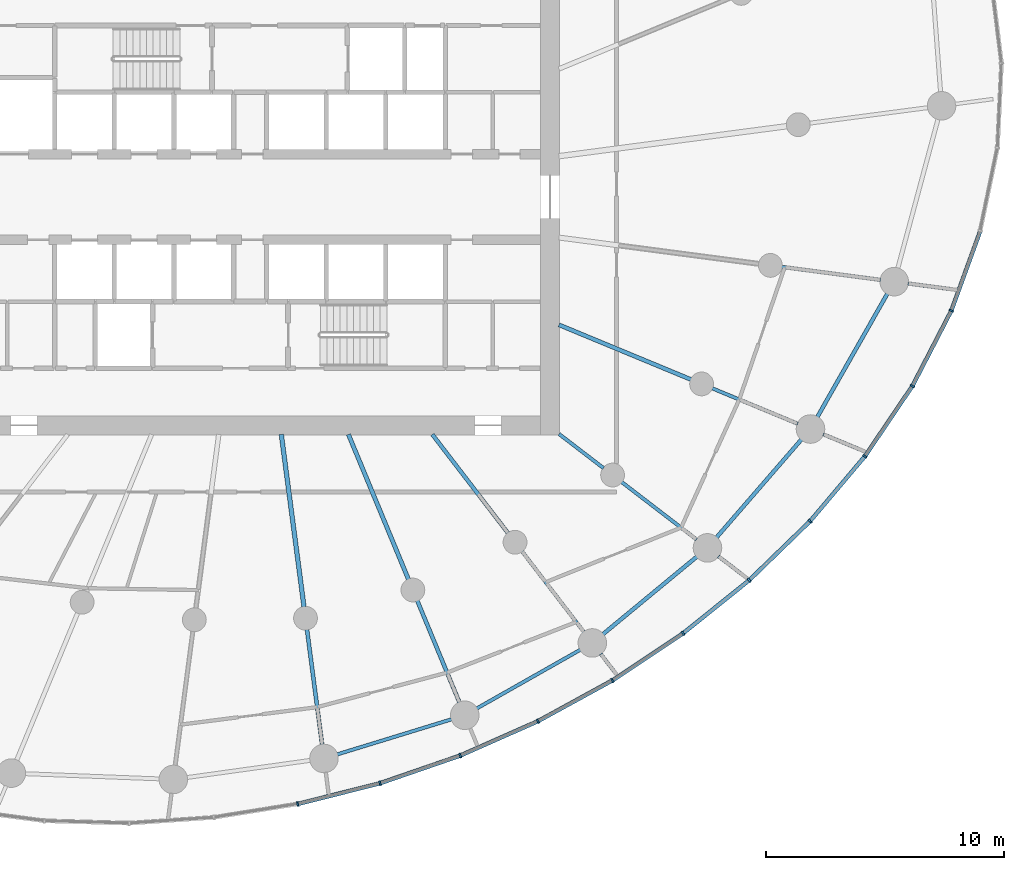
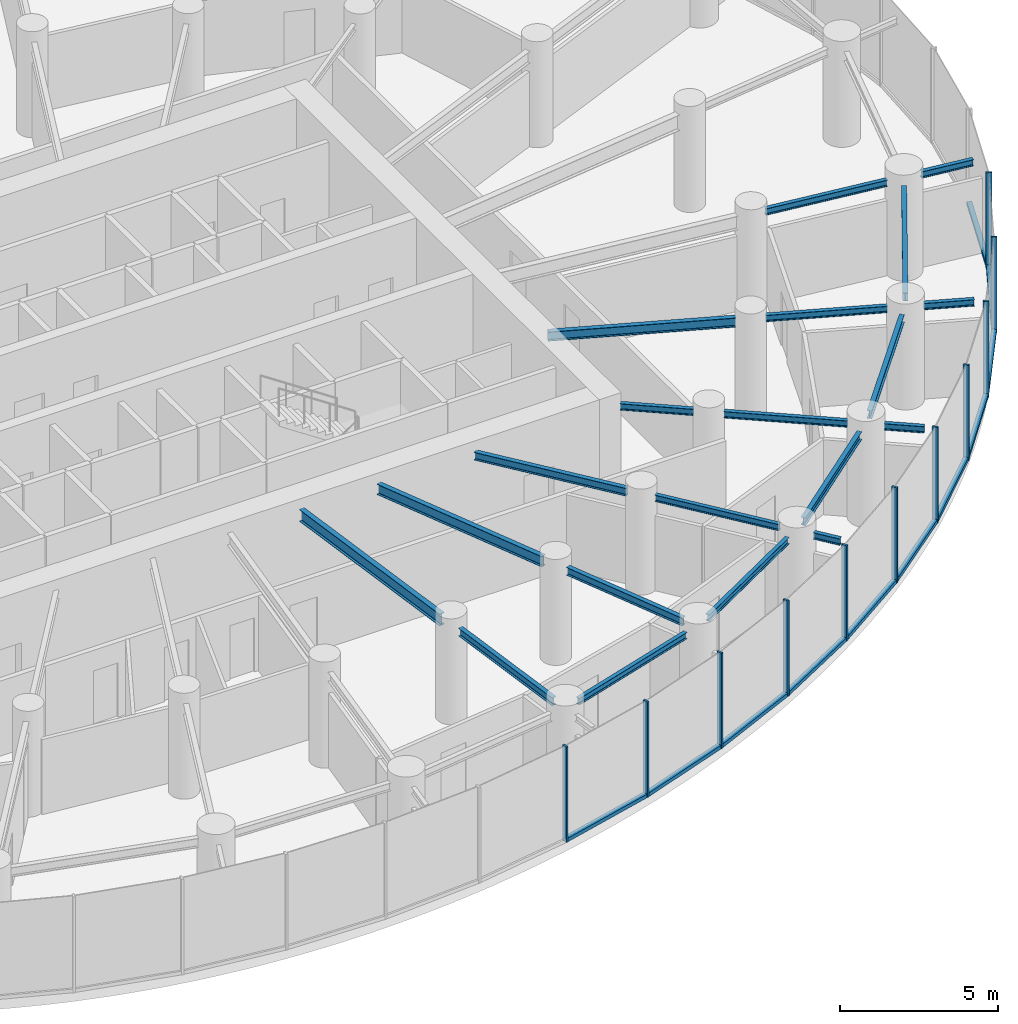
# One storey, part 4 of 17: 22 members, 20 beams, 2 elements without a shape of their own.
"""IFC4 building model written with IfcOpenShell, lengths in metres."""

from ifc_helpers import new_model, si_unit, direction, frame, origin, origin_2d, place, context, subcontext, project, spatial, rectangle, i_section, extrude, source, transform, mapped, material, layer, layer_set, material_profile, profile_set, type_object, element, aggregate, save


model = new_model("IFC4")

# Units and contexts
model_context = context("Model", 3, precision=1e-05, world=origin(), true_north=direction((0.0, 1.0)))
body_context = subcontext(model_context, "Body", "Model", "MODEL_VIEW")
ifc_project = project(units=[si_unit("LENGTHUNIT", "METRE"), si_unit("AREAUNIT", "SQUARE_METRE"), si_unit("VOLUMEUNIT", "CUBIC_METRE"), si_unit("PLANEANGLEUNIT", "RADIAN"), si_unit("MASSUNIT", "GRAM", prefix="KILO")], contexts=[model_context])

# Site, building, storey
site_placement = place(None, origin())
site = spatial("IfcSite", under=ifc_project, at=site_placement, CompositionType="ELEMENT")
building_placement = place(site_placement, origin())
building = spatial("IfcBuilding", under=site, at=building_placement, Name="Spindrift Exchange Tower", CompositionType="ELEMENT")
storey_placement = place(building_placement, frame((0.0, 0.0, 88.0)))
storey = spatial("IfcBuildingStorey", under=building, at=storey_placement, Name="L20", CompositionType="ELEMENT", Elevation=88.0)

# Beams
ifc_material_1 = material(Name="Steel Grade 300", Category="steel")
ifc_material_profile_1 = material_profile(ifc_material_1, i_section(OverallWidth=0.18994140625, OverallDepth=0.45703125, WebThickness=0.009033203125, FlangeThickness=0.014404296875, FilletRadius=0.013916015625, at=origin_2d()), Name="460UB74.6")
ifc_profile_set_1 = profile_set([ifc_material_profile_1], Name="Steel Grade 300")
beam_type_1 = type_object("IfcBeamType", Name="Floor Beam 460UB74.6 Steel Grade 300", PredefinedType="BEAM", material=ifc_profile_set_1)
shared_shape_1 = source(origin(), body_context, "Body", "SweptSolid", [
    extrude(i_section(OverallWidth=0.18994140625, OverallDepth=0.45703125, WebThickness=0.009033203125, FlangeThickness=0.014404296875, FilletRadius=0.013916015625, at=origin_2d()), origin(), (0.0, 0.0, 1.0), 7.3095703125),
])
beam_1_placement = place(storey_placement, frame((53.31396484375, 38.019775390625, 3.471435546875), z_axis=(0.130527087244, -0.991444743541, 0.0), x_axis=(0.991444743541, 0.130527087244, 0.0)))
element("IfcBeam", 1, at=beam_1_placement, inside=storey, type_object=beam_type_1, Name="L20 radial beam R19A", PredefinedType="BEAM", context=body_context, shape_type="MappedRepresentation", body=[
    mapped(shared_shape_1, transform((0.0, 0.0, 0.0), scale=1.0)),
])
ifc_material_profile_2 = material_profile(ifc_material_1, i_section(OverallWidth=0.177978515625, OverallDepth=0.406005859375, WebThickness=0.0078125, FlangeThickness=0.0126953125, FilletRadius=0.013916015625, at=origin_2d()), Name="410UB59.7")
ifc_profile_set_2 = profile_set([ifc_material_profile_2], Name="Steel Grade 300")
beam_type_2 = type_object("IfcBeamType", Name="Floor Beam 410UB59.7 Steel Grade 300", PredefinedType="BEAM", material=ifc_profile_set_2)
shared_shape_2 = source(origin(), body_context, "Body", "SweptSolid", [
    extrude(i_section(OverallWidth=0.177978515625, OverallDepth=0.406005859375, WebThickness=0.0078125, FlangeThickness=0.0126953125, FilletRadius=0.013916015625, at=origin_2d()), origin(), (0.0, 0.0, 1.0), 6.594482421875),
])
beam_2_placement = place(storey_placement, frame((56.134521484375, 38.0185546875, 3.4970703125), z_axis=(0.382692929746, -0.92387559851, 0.0), x_axis=(0.92387559851, 0.382692929746, 0.0)))
element("IfcBeam", 2, at=beam_2_placement, inside=storey, type_object=beam_type_2, Name="L20 radial beam R20A", PredefinedType="BEAM", context=body_context, shape_type="MappedRepresentation", body=[
    mapped(shared_shape_2, transform((0.0, 0.0, 0.0), scale=1.0)),
])
ifc_material_profile_3 = material_profile(ifc_material_1, i_section(OverallWidth=0.1650390625, OverallDepth=0.303955078125, WebThickness=0.006103515625, FlangeThickness=0.01025390625, FilletRadius=0.011474609375, at=origin_2d()), Name="310UB40.4")
ifc_profile_set_3 = profile_set([ifc_material_profile_3], Name="Steel Grade 300")
beam_type_3 = type_object("IfcBeamType", Name="Floor Beam 310UB40.4 Steel Grade 300", PredefinedType="BEAM", material=ifc_profile_set_3)
shared_shape_3 = source(origin(), body_context, "Body", "SweptSolid", [
    extrude(i_section(OverallWidth=0.1650390625, OverallDepth=0.303955078125, WebThickness=0.006103515625, FlangeThickness=0.01025390625, FilletRadius=0.011474609375, at=origin_2d()), origin(), (0.0, 0.0, 1.0), 5.224609375),
])
beam_3_placement = place(storey_placement, frame((59.6611328125, 38.015869140625, 3.548095703125), z_axis=(0.608741499316, -0.793368632485, 0.0), x_axis=(0.793368632485, 0.608741499316, 0.0)))
element("IfcBeam", 3, at=beam_3_placement, inside=storey, type_object=beam_type_3, Name="L20 radial beam R21A", PredefinedType="BEAM", context=body_context, shape_type="MappedRepresentation", body=[
    mapped(shared_shape_3, transform((0.0, 0.0, 0.0), scale=1.0)),
])
ifc_material_profile_4 = material_profile(ifc_material_1, i_section(OverallWidth=0.14599609375, OverallDepth=0.251953125, WebThickness=0.006103515625, FlangeThickness=0.008544921875, FilletRadius=0.011962890625, at=origin_2d()), Name="250UB31.4")
ifc_profile_set_4 = profile_set([ifc_material_profile_4], Name="Steel Grade 300")
beam_type_4 = type_object("IfcBeamType", Name="Floor Beam 250UB31.4 Steel Grade 300", PredefinedType="BEAM", material=ifc_profile_set_4)
shared_shape_4 = source(origin(), body_context, "Body", "SweptSolid", [
    extrude(i_section(OverallWidth=0.14599609375, OverallDepth=0.251953125, WebThickness=0.006103515625, FlangeThickness=0.008544921875, FilletRadius=0.011962890625, at=origin_2d()), origin(), (0.0, 0.0, 1.0), 2.353759765625),
])
beam_4_placement = place(storey_placement, frame((64.984130859375, 38.036865234375, 3.573974609375), z_axis=(0.793367573265, -0.608742879787, 0.0), x_axis=(0.608742879787, 0.793367573265, 0.0)))
element("IfcBeam", 4, at=beam_4_placement, inside=storey, type_object=beam_type_4, Name="L20 radial beam R22A", PredefinedType="BEAM", context=body_context, shape_type="MappedRepresentation", body=[
    mapped(shared_shape_4, transform((0.0, 0.0, 0.0), scale=1.0)),
])
ifc_material_profile_5 = material_profile(ifc_material_1, i_section(OverallWidth=0.172119140625, OverallDepth=0.35888671875, WebThickness=0.008056640625, FlangeThickness=0.012939453125, FilletRadius=0.013916015625, at=origin_2d()), Name="360UB56.7")
ifc_profile_set_5 = profile_set([ifc_material_profile_5], Name="Steel Grade 300")
beam_type_5 = type_object("IfcBeamType", Name="Floor Beam 360UB56.7 Steel Grade 300", PredefinedType="BEAM", material=ifc_profile_set_5)
shared_shape_5 = source(origin(), body_context, "Body", "SweptSolid", [
    extrude(i_section(OverallWidth=0.172119140625, OverallDepth=0.35888671875, WebThickness=0.008056640625, FlangeThickness=0.012939453125, FilletRadius=0.013916015625, at=origin_2d()), origin(), (0.0, 0.0, 1.0), 6.004638671875),
])
beam_5_placement = place(storey_placement, frame((64.9814453125, 42.622802734375, 3.5205078125), z_axis=(0.923882044911, -0.38267736684, 0.0), x_axis=(0.38267736684, 0.923882044911, 0.0)))
element("IfcBeam", 5, at=beam_5_placement, inside=storey, type_object=beam_type_5, Name="L20 radial beam R23A", PredefinedType="BEAM", context=body_context, shape_type="MappedRepresentation", body=[
    mapped(shared_shape_5, transform((0.0, 0.0, 0.0), scale=1.0)),
])
shared_shape_6 = source(origin(), body_context, "Body", "SweptSolid", [
    extrude(i_section(OverallWidth=0.1650390625, OverallDepth=0.303955078125, WebThickness=0.006103515625, FlangeThickness=0.01025390625, FilletRadius=0.011474609375, at=origin_2d()), origin(), (0.0, 0.0, 1.0), 4.883056640625),
])
beam_6_placement = place(storey_placement, frame((54.393310546875, 29.82080078125, 3.548095703125), z_axis=(0.130542457964, -0.991442719812, 0.0), x_axis=(0.991442719812, 0.130542457964, 0.0)))
element("IfcBeam", 6, at=beam_6_placement, inside=storey, type_object=beam_type_3, Name="L20 radial beam R19B", PredefinedType="BEAM", context=body_context, shape_type="MappedRepresentation", body=[
    mapped(shared_shape_6, transform((0.0, 0.0, 0.0), scale=1.0)),
])
shared_shape_7 = source(origin(), body_context, "Body", "SweptSolid", [
    extrude(i_section(OverallWidth=0.1650390625, OverallDepth=0.303955078125, WebThickness=0.006103515625, FlangeThickness=0.01025390625, FilletRadius=0.011474609375, at=origin_2d()), origin(), (0.0, 0.0, 1.0), 4.63671875),
])
beam_7_placement = place(storey_placement, frame((59.025390625, 31.0390625, 3.548095703125), z_axis=(0.382692818086, -0.923875644763, 0.0), x_axis=(0.923875644763, 0.382692818086, 0.0)))
element("IfcBeam", 7, at=beam_7_placement, inside=storey, type_object=beam_type_3, Name="L20 radial beam R20B", PredefinedType="BEAM", context=body_context, shape_type="MappedRepresentation", body=[
    mapped(shared_shape_7, transform((0.0, 0.0, 0.0), scale=1.0)),
])
shared_shape_8 = source(origin(), body_context, "Body", "SweptSolid", [
    extrude(i_section(OverallWidth=0.14599609375, OverallDepth=0.251953125, WebThickness=0.006103515625, FlangeThickness=0.008544921875, FilletRadius=0.011962890625, at=origin_2d()), origin(), (0.0, 0.0, 1.0), 4.27587890625),
])
beam_8_placement = place(storey_placement, frame((63.426025390625, 33.109375, 3.573974609375), z_axis=(0.608725184746, -0.793381150177, 0.0), x_axis=(0.793381150177, 0.608725184746, 0.0)))
element("IfcBeam", 8, at=beam_8_placement, inside=storey, type_object=beam_type_4, Name="L20 radial beam R21B", PredefinedType="BEAM", context=body_context, shape_type="MappedRepresentation", body=[
    mapped(shared_shape_8, transform((0.0, 0.0, 0.0), scale=1.0)),
])
shared_shape_9 = source(origin(), body_context, "Body", "SweptSolid", [
    extrude(i_section(OverallWidth=0.14599609375, OverallDepth=0.251953125, WebThickness=0.006103515625, FlangeThickness=0.008544921875, FilletRadius=0.011962890625, at=origin_2d()), origin(), (0.0, 0.0, 1.0), 3.966064453125),
])
beam_9_placement = place(storey_placement, frame((67.61328125, 36.01953125, 3.573974609375), z_axis=(0.79336256318, -0.608749409318, 0.0), x_axis=(0.608749409318, 0.79336256318, 0.0)))
element("IfcBeam", 9, at=beam_9_placement, inside=storey, type_object=beam_type_4, Name="L20 radial beam R22B", PredefinedType="BEAM", context=body_context, shape_type="MappedRepresentation", body=[
    mapped(shared_shape_9, transform((0.0, 0.0, 0.0), scale=1.0)),
])
shared_shape_10 = source(origin(), body_context, "Body", "SweptSolid", [
    extrude(i_section(OverallWidth=0.14599609375, OverallDepth=0.251953125, WebThickness=0.006103515625, FlangeThickness=0.008544921875, FilletRadius=0.011962890625, at=origin_2d()), origin(), (0.0, 0.0, 1.0), 3.892333984375),
])
beam_10_placement = place(storey_placement, frame((71.416015625, 39.95751953125, 3.573974609375), z_axis=(0.923878458273, -0.382686025794, 0.0), x_axis=(0.382686025794, 0.923878458273, 0.0)))
element("IfcBeam", 10, at=beam_10_placement, inside=storey, type_object=beam_type_4, Name="L20 radial beam R23B", PredefinedType="BEAM", context=body_context, shape_type="MappedRepresentation", body=[
    mapped(shared_shape_10, transform((0.0, 0.0, 0.0), scale=1.0)),
])
shared_shape_11 = source(origin(), body_context, "Body", "SweptSolid", [
    extrude(i_section(OverallWidth=0.14599609375, OverallDepth=0.251953125, WebThickness=0.006103515625, FlangeThickness=0.008544921875, FilletRadius=0.011962890625, at=origin_2d()), origin(), (0.0, 0.0, 1.0), 4.186279296875),
])
beam_11_placement = place(storey_placement, frame((74.339111328125, 45.05908203125, 3.573974609375), z_axis=(0.991445559167, -0.130520891848, 0.0), x_axis=(0.130520891848, 0.991445559167, 0.0)))
element("IfcBeam", 11, at=beam_11_placement, inside=storey, type_object=beam_type_4, Name="L20 radial beam R24B", PredefinedType="BEAM", context=body_context, shape_type="MappedRepresentation", body=[
    mapped(shared_shape_11, transform((0.0, 0.0, 0.0), scale=1.0)),
])
ifc_material_profile_6 = material_profile(ifc_material_1, i_section(OverallWidth=0.14599609375, OverallDepth=0.251953125, WebThickness=0.006103515625, FlangeThickness=0.008544921875, FilletRadius=0.011962890625, at=origin_2d()), Name="250UB31.4")
ifc_profile_set_6 = profile_set([ifc_material_profile_6], Name="Steel Grade 300")
beam_type_6 = type_object("IfcBeamType", Name="Edge Beam 250UB31.4 Steel Grade 300", PredefinedType="SPANDREL", material=ifc_profile_set_6)
shared_shape_12 = source(origin(), body_context, "Body", "SweptSolid", [
    extrude(i_section(OverallWidth=0.14599609375, OverallDepth=0.251953125, WebThickness=0.006103515625, FlangeThickness=0.008544921875, FilletRadius=0.011962890625, at=origin_2d()), origin(), (0.0, 0.0, 1.0), 5.027587890625),
])
beam_12_placement = place(storey_placement, frame((55.660888671875, 24.57470703125, 3.573974609375), z_axis=(0.956018084082, 0.293307727325, 0.0), x_axis=(-0.293307727325, 0.956018084082, 0.0)))
element("IfcBeam", 12, at=beam_12_placement, inside=storey, type_object=beam_type_6, Name="L20 edge beam E19", PredefinedType="SPANDREL", context=body_context, shape_type="MappedRepresentation", body=[
    mapped(shared_shape_12, transform((0.0, 0.0, 0.0), scale=1.0)),
])
shared_shape_13 = source(origin(), body_context, "Body", "SweptSolid", [
    extrude(i_section(OverallWidth=0.14599609375, OverallDepth=0.251953125, WebThickness=0.006103515625, FlangeThickness=0.008544921875, FilletRadius=0.011962890625, at=origin_2d()), origin(), (0.0, 0.0, 1.0), 5.0009765625),
])
beam_13_placement = place(storey_placement, frame((61.5263671875, 26.505615234375, 3.573974609375), z_axis=(0.870045916697, 0.492970691663, 0.0), x_axis=(-0.492970691663, 0.870045916697, 0.0)))
element("IfcBeam", 13, at=beam_13_placement, inside=storey, type_object=beam_type_6, Name="L20 edge beam E20", PredefinedType="SPANDREL", context=body_context, shape_type="MappedRepresentation", body=[
    mapped(shared_shape_13, transform((0.0, 0.0, 0.0), scale=1.0)),
])
ifc_material_profile_7 = material_profile(ifc_material_1, i_section(OverallWidth=0.1650390625, OverallDepth=0.303955078125, WebThickness=0.006103515625, FlangeThickness=0.01025390625, FilletRadius=0.011474609375, at=origin_2d()), Name="310UB40.4")
ifc_profile_set_7 = profile_set([ifc_material_profile_7], Name="Steel Grade 300")
beam_type_7 = type_object("IfcBeamType", Name="Edge Beam 310UB40.4 Steel Grade 300", PredefinedType="SPANDREL", material=ifc_profile_set_7)
shared_shape_14 = source(origin(), body_context, "Body", "SweptSolid", [
    extrude(i_section(OverallWidth=0.1650390625, OverallDepth=0.303955078125, WebThickness=0.006103515625, FlangeThickness=0.01025390625, FilletRadius=0.011474609375, at=origin_2d()), origin(), (0.0, 0.0, 1.0), 5.114501953125),
])
beam_14_placement = place(storey_placement, frame((66.8291015625, 29.626220703125, 3.548095703125), z_axis=(0.771073837992, 0.63674573918, 0.0), x_axis=(-0.63674573918, 0.771073837992, 0.0)))
element("IfcBeam", 14, at=beam_14_placement, inside=storey, type_object=beam_type_7, Name="L20 edge beam E21", PredefinedType="SPANDREL", context=body_context, shape_type="MappedRepresentation", body=[
    mapped(shared_shape_14, transform((0.0, 0.0, 0.0), scale=1.0)),
])
shared_shape_15 = source(origin(), body_context, "Body", "SweptSolid", [
    extrude(i_section(OverallWidth=0.1650390625, OverallDepth=0.303955078125, WebThickness=0.006103515625, FlangeThickness=0.01025390625, FilletRadius=0.011474609375, at=origin_2d()), origin(), (0.0, 0.0, 1.0), 5.448486328125),
])
beam_15_placement = place(storey_placement, frame((71.599609375, 33.6904296875, 3.548095703125), z_axis=(0.654922008827, 0.755696475018, 0.0), x_axis=(-0.755696475018, 0.654922008827, 0.0)))
element("IfcBeam", 15, at=beam_15_placement, inside=storey, type_object=beam_type_7, Name="L20 edge beam E22", PredefinedType="SPANDREL", context=body_context, shape_type="MappedRepresentation", body=[
    mapped(shared_shape_15, transform((0.0, 0.0, 0.0), scale=1.0)),
])
shared_shape_16 = source(origin(), body_context, "Body", "SweptSolid", [
    extrude(i_section(OverallWidth=0.1650390625, OverallDepth=0.303955078125, WebThickness=0.006103515625, FlangeThickness=0.01025390625, FilletRadius=0.011474609375, at=origin_2d()), origin(), (0.0, 0.0, 1.0), 5.9599609375),
])
beam_16_placement = place(storey_placement, frame((75.834228515625, 38.75048828125, 3.548095703125), z_axis=(0.493940434745, 0.869495742901, 0.0), x_axis=(-0.869495742901, 0.493940434745, 0.0)))
element("IfcBeam", 16, at=beam_16_placement, inside=storey, type_object=beam_type_7, Name="L20 edge beam E23", PredefinedType="SPANDREL", context=body_context, shape_type="MappedRepresentation", body=[
    mapped(shared_shape_16, transform((0.0, 0.0, 0.0), scale=1.0)),
])
ifc_material_profile_8 = material_profile(ifc_material_1, i_section(OverallWidth=0.14599609375, OverallDepth=0.251953125, WebThickness=0.006103515625, FlangeThickness=0.008544921875, FilletRadius=0.011962890625, at=origin_2d()), Name="250UB31.4")
ifc_profile_set_8 = profile_set([ifc_material_profile_8], Name="Steel Grade 300")
beam_type_8 = type_object("IfcBeamType", Name="Cantilever Beam 250UB31.4 Steel Grade 300", PredefinedType="BEAM", material=ifc_profile_set_8)
shared_shape_17 = source(origin(), body_context, "Body", "SweptSolid", [
    extrude(i_section(OverallWidth=0.14599609375, OverallDepth=0.251953125, WebThickness=0.006103515625, FlangeThickness=0.008544921875, FilletRadius=0.011962890625, at=origin_2d()), origin(), (0.0, 0.0, 1.0), 0.920166015625),
])
beam_17_placement = place(storey_placement, frame((66.735107421875, 28.796875, 3.573974609375), z_axis=(0.608877027985, -0.793264624695, 0.0), x_axis=(0.793264624695, 0.608877027985, 0.0)))
element("IfcBeam", 17, at=beam_17_placement, inside=storey, type_object=beam_type_8, Name="L20 cantilever beam R21T", PredefinedType="BEAM", context=body_context, shape_type="MappedRepresentation", body=[
    mapped(shared_shape_17, transform((0.0, 0.0, 0.0), scale=1.0)),
])
shared_shape_18 = source(origin(), body_context, "Body", "SweptSolid", [
    extrude(i_section(OverallWidth=0.14599609375, OverallDepth=0.251953125, WebThickness=0.006103515625, FlangeThickness=0.008544921875, FilletRadius=0.011962890625, at=origin_2d()), origin(), (0.0, 0.0, 1.0), 1.286376953125),
])
beam_18_placement = place(storey_placement, frame((71.679931640625, 32.89892578125, 3.573974609375), z_axis=(0.793392464153, -0.608710438406, 0.0), x_axis=(0.608710438406, 0.793392464153, 0.0)))
element("IfcBeam", 18, at=beam_18_placement, inside=storey, type_object=beam_type_8, Name="L20 cantilever beam R22T", PredefinedType="BEAM", context=body_context, shape_type="MappedRepresentation", body=[
    mapped(shared_shape_18, transform((0.0, 0.0, 0.0), scale=1.0)),
])
shared_shape_19 = source(origin(), body_context, "Body", "SweptSolid", [
    extrude(i_section(OverallWidth=0.14599609375, OverallDepth=0.251953125, WebThickness=0.006103515625, FlangeThickness=0.008544921875, FilletRadius=0.011962890625, at=origin_2d()), origin(), (0.0, 0.0, 1.0), 1.614013671875),
])
beam_19_placement = place(storey_placement, frame((76.08349609375, 38.024169921875, 3.573974609375), z_axis=(0.923880411625, -0.382681309989, 0.0), x_axis=(0.382681309989, 0.923880411625, 0.0)))
element("IfcBeam", 19, at=beam_19_placement, inside=storey, type_object=beam_type_8, Name="L20 cantilever beam R23T", PredefinedType="BEAM", context=body_context, shape_type="MappedRepresentation", body=[
    mapped(shared_shape_19, transform((0.0, 0.0, 0.0), scale=1.0)),
])
shared_shape_20 = source(origin(), body_context, "Body", "SweptSolid", [
    extrude(i_section(OverallWidth=0.14599609375, OverallDepth=0.251953125, WebThickness=0.006103515625, FlangeThickness=0.008544921875, FilletRadius=0.011962890625, at=origin_2d()), origin(), (0.0, 0.0, 1.0), 1.78564453125),
])
beam_20_placement = place(storey_placement, frame((79.639404296875, 44.361083984375, 3.573974609375), z_axis=(0.99145801781, -0.130426220214, 0.0), x_axis=(0.130426220214, 0.99145801781, 0.0)))
element("IfcBeam", 20, at=beam_20_placement, inside=storey, type_object=beam_type_8, Name="L20 cantilever beam R24T", PredefinedType="BEAM", context=body_context, shape_type="MappedRepresentation", body=[
    mapped(shared_shape_20, transform((0.0, 0.0, 0.0), scale=1.0)),
])

# Curtain wall, members
ifc_material_2 = material(Name="Fritted laminated glass with bronze frame", Category="glass")
ifc_layer = layer(ifc_material_2, 0.18994140625)
ifc_layer_set = layer_set([ifc_layer], Name="ZONE 2 BRONZE FRITTED WALL")
curtain_wall_type = type_object("IfcCurtainWallType", Name="ZONE 2 BRONZE FRITTED WALL", PredefinedType="NOTDEFINED", material=ifc_layer_set)
curtain_wall_1_placement = place(storey_placement, origin())
curtain_wall_1 = element("IfcCurtainWall", 21, at=curtain_wall_1_placement, inside=storey, type_object=curtain_wall_type, Name="L20 Zone 2 Bronze Fritted Wall run 7", PredefinedType="NOTDEFINED")
ifc_material_3 = material(Name="Bronze anodised aluminium", Category="aluminium")
ifc_material_profile_9 = material_profile(ifc_material_3, rectangle(XDim=0.074951171875, YDim=0.18994140625, at=origin_2d()), Name="ZONE 2 BRONZE FRITTED WALL MULLION 75X190")
ifc_profile_set_9 = profile_set([ifc_material_profile_9], Name="Bronze anodised aluminium")
member_type_1 = type_object("IfcMemberType", Name="ZONE 2 BRONZE FRITTED WALL MULLION 75X190", PredefinedType="MULLION", material=ifc_profile_set_9)
shared_shape_21 = source(origin(), body_context, "Body", "SweptSolid", [
    extrude(rectangle(XDim=0.074951171875, YDim=0.18994140625, at=origin_2d()), origin(), (0.0, 0.0, 1.0), 3.699951171875),
])
member_1_placement = place(storey_placement, frame((54.0029296875, 22.490478515625, 0.0), z_axis=(0.0, 0.0, 1.0), x_axis=(0.979430002763, 0.201784215653, 0.0)))
member_1 = element("IfcMember", 22, at=member_1_placement, type_object=member_type_1, Name="L20 mullion CW-2.37", PredefinedType="MULLION", context=body_context, shape_type="MappedRepresentation", body=[
    mapped(shared_shape_21, transform((0.0, 0.0, 0.0), scale=1.0)),
])
member_2_placement = place(storey_placement, frame((57.46142578125, 23.3623046875, 0.0), z_axis=(0.0, 0.0, 1.0), x_axis=(0.958371365732, 0.285524649279, 0.0)))
member_2 = element("IfcMember", 23, at=member_2_placement, type_object=member_type_1, Name="L20 mullion CW-2.38", PredefinedType="MULLION", context=body_context, shape_type="MappedRepresentation", body=[
    mapped(shared_shape_21, transform((0.0, 0.0, 0.0), scale=1.0)),
])
member_3_placement = place(storey_placement, frame((60.833251953125, 24.525390625, 0.0), z_axis=(0.0, 0.0, 1.0), x_axis=(0.930740938125, 0.365679239358, 0.0)))
member_3 = element("IfcMember", 24, at=member_3_placement, type_object=member_type_1, Name="L20 mullion CW-2.39", PredefinedType="MULLION", context=body_context, shape_type="MappedRepresentation", body=[
    mapped(shared_shape_21, transform((0.0, 0.0, 0.0), scale=1.0)),
])
member_4_placement = place(storey_placement, frame((64.094970703125, 25.968505859375, 0.0), z_axis=(0.0, 0.0, 1.0), x_axis=(0.896560946156, 0.442920387686, 0.0)))
member_4 = element("IfcMember", 25, at=member_4_placement, type_object=member_type_1, Name="L20 mullion CW-2.40", PredefinedType="MULLION", context=body_context, shape_type="MappedRepresentation", body=[
    mapped(shared_shape_21, transform((0.0, 0.0, 0.0), scale=1.0)),
])
member_5_placement = place(storey_placement, frame((67.222900390625, 27.68212890625, 0.0), z_axis=(0.0, 0.0, 1.0), x_axis=(0.855501565026, 0.517800224255, 0.0)))
member_5 = element("IfcMember", 26, at=member_5_placement, type_object=member_type_1, Name="L20 mullion CW-2.41", PredefinedType="MULLION", context=body_context, shape_type="MappedRepresentation", body=[
    mapped(shared_shape_21, transform((0.0, 0.0, 0.0), scale=1.0)),
])
member_6_placement = place(storey_placement, frame((70.19189453125, 29.65869140625, 0.0), z_axis=(0.0, 0.0, 1.0), x_axis=(0.806874050391, 0.590723511303, 0.0)))
member_6 = element("IfcMember", 27, at=member_6_placement, type_object=member_type_1, Name="L20 mullion CW-2.42", PredefinedType="MULLION", context=body_context, shape_type="MappedRepresentation", body=[
    mapped(shared_shape_21, transform((0.0, 0.0, 0.0), scale=1.0)),
])

curtain_wall_2_placement = place(storey_placement, origin())
curtain_wall_2 = element("IfcCurtainWall", 28, at=curtain_wall_2_placement, inside=storey, type_object=curtain_wall_type, Name="L20 Zone 2 Bronze Fritted Wall run 8", PredefinedType="NOTDEFINED")
member_7_placement = place(storey_placement, frame((72.972900390625, 31.8916015625, 0.0), z_axis=(0.0, 0.0, 1.0), x_axis=(0.749663239022, 0.661819482986, 0.0)))
member_7 = element("IfcMember", 29, at=member_7_placement, type_object=member_type_1, Name="L20 mullion CW-2.43", PredefinedType="MULLION", context=body_context, shape_type="MappedRepresentation", body=[
    mapped(shared_shape_21, transform((0.0, 0.0, 0.0), scale=1.0)),
])
member_8_placement = place(storey_placement, frame((75.533203125, 34.374267578125, 0.0), z_axis=(0.0, 0.0, 1.0), x_axis=(0.68243968132, 0.730941913807, 0.0)))
member_8 = element("IfcMember", 30, at=member_8_placement, type_object=member_type_1, Name="L20 mullion CW-2.44", PredefinedType="MULLION", context=body_context, shape_type="MappedRepresentation", body=[
    mapped(shared_shape_21, transform((0.0, 0.0, 0.0), scale=1.0)),
])
member_9_placement = place(storey_placement, frame((77.834228515625, 37.0986328125, 0.0), z_axis=(0.0, 0.0, 1.0), x_axis=(0.603389695566, 0.797446471736, 0.0)))
member_9 = element("IfcMember", 31, at=member_9_placement, type_object=member_type_1, Name="L20 mullion CW-2.45", PredefinedType="MULLION", context=body_context, shape_type="MappedRepresentation", body=[
    mapped(shared_shape_21, transform((0.0, 0.0, 0.0), scale=1.0)),
])
member_10_placement = place(storey_placement, frame((79.830322265625, 40.053466796875, 0.0), z_axis=(0.0, 0.0, 1.0), x_axis=(0.510326996219, 0.859980439853, 0.0)))
member_10 = element("IfcMember", 32, at=member_10_placement, type_object=member_type_1, Name="L20 mullion CW-2.46", PredefinedType="MULLION", context=body_context, shape_type="MappedRepresentation", body=[
    mapped(shared_shape_21, transform((0.0, 0.0, 0.0), scale=1.0)),
])
member_11_placement = place(storey_placement, frame((81.46728515625, 43.220947265625, 0.0), z_axis=(0.0, 0.0, 1.0), x_axis=(0.400912138411, 0.91611650857, 0.0)))
member_11 = element("IfcMember", 33, at=member_11_placement, type_object=member_type_1, Name="L20 mullion CW-2.47", PredefinedType="MULLION", context=body_context, shape_type="MappedRepresentation", body=[
    mapped(shared_shape_21, transform((0.0, 0.0, 0.0), scale=1.0)),
])
ifc_material_profile_10 = material_profile(ifc_material_3, rectangle(XDim=0.169921875, YDim=0.139892578125, at=origin_2d()), Name="ZONE 2 BRONZE FRITTED WALL TRANSOM 170X140")
ifc_profile_set_10 = profile_set([ifc_material_profile_10], Name="Bronze anodised aluminium")
member_type_2 = type_object("IfcMemberType", Name="ZONE 2 BRONZE FRITTED WALL TRANSOM 170X140", PredefinedType="USERDEFINED", material=ifc_profile_set_10)
shared_shape_22 = source(origin(), body_context, "Body", "SweptSolid", [
    extrude(rectangle(XDim=0.169921875, YDim=0.139892578125, at=origin_2d()), origin(), (0.0, 0.0, 1.0), 3.4912109375),
])
member_12_placement = place(storey_placement, frame((75.557373046875, 34.40283203125, 0.070068359375), z_axis=(0.64523977926, 0.763980122294, 0.0), x_axis=(-0.763980122294, 0.64523977926, 0.0)))
member_12 = element("IfcMember", 34, at=member_12_placement, type_object=member_type_2, Name="L20 transom CW-2.44", ObjectType="TRANSOM", PredefinedType="USERDEFINED", context=body_context, shape_type="MappedRepresentation", body=[
    mapped(shared_shape_22, transform((0.0, 0.0, 0.0), scale=1.0)),
])

# Member
shared_shape_23 = source(origin(), body_context, "Body", "SweptSolid", [
    extrude(rectangle(XDim=0.169921875, YDim=0.139892578125, at=origin_2d()), origin(), (0.0, 0.0, 1.0), 3.49169921875),
])
member_13_placement = place(storey_placement, frame((54.039306640625, 22.499755859375, 0.070068359375), z_axis=(0.96968008677, 0.244377841308, 0.0), x_axis=(-0.244377841308, 0.96968008677, 0.0)))
member_13 = element("IfcMember", 35, at=member_13_placement, type_object=member_type_2, Name="L20 transom CW-2.37", ObjectType="TRANSOM", PredefinedType="USERDEFINED", context=body_context, shape_type="MappedRepresentation", body=[
    mapped(shared_shape_23, transform((0.0, 0.0, 0.0), scale=1.0)),
])

member_14_placement = place(storey_placement, frame((57.4970703125, 23.37451171875, 0.070068359375), z_axis=(0.945331363152, 0.326111351904, 0.0), x_axis=(-0.326111351904, 0.945331363152, 0.0)))
member_14 = element("IfcMember", 36, at=member_14_placement, type_object=member_type_2, Name="L20 transom CW-2.38", ObjectType="TRANSOM", PredefinedType="USERDEFINED", context=body_context, shape_type="MappedRepresentation", body=[
    mapped(shared_shape_23, transform((0.0, 0.0, 0.0), scale=1.0)),
])

member_15_placement = place(storey_placement, frame((60.867431640625, 24.54052734375, 0.070068359375), z_axis=(0.914482105956, 0.40462634354, 0.0), x_axis=(-0.40462634354, 0.914482105956, 0.0)))
member_15 = element("IfcMember", 37, at=member_15_placement, type_object=member_type_2, Name="L20 transom CW-2.39", ObjectType="TRANSOM", PredefinedType="USERDEFINED", context=body_context, shape_type="MappedRepresentation", body=[
    mapped(shared_shape_23, transform((0.0, 0.0, 0.0), scale=1.0)),
])

member_16_placement = place(storey_placement, frame((67.254150390625, 27.702880859375, 0.070068359375), z_axis=(0.832394354329, 0.554183759128, 0.0), x_axis=(-0.554183759128, 0.832394354329, 0.0)))
member_16 = element("IfcMember", 38, at=member_16_placement, type_object=member_type_2, Name="L20 transom CW-2.41", ObjectType="TRANSOM", PredefinedType="USERDEFINED", context=body_context, shape_type="MappedRepresentation", body=[
    mapped(shared_shape_23, transform((0.0, 0.0, 0.0), scale=1.0)),
])

member_17_placement = place(storey_placement, frame((70.220947265625, 29.68212890625, 0.070068359375), z_axis=(0.77976248977, 0.626075442378, 0.0), x_axis=(-0.626075442378, 0.77976248977, 0.0)))
member_17 = element("IfcMember", 39, at=member_17_placement, type_object=member_type_2, Name="L20 transom CW-2.42", ObjectType="TRANSOM", PredefinedType="USERDEFINED", context=body_context, shape_type="MappedRepresentation", body=[
    mapped(shared_shape_23, transform((0.0, 0.0, 0.0), scale=1.0)),
])

shared_shape_24 = source(origin(), body_context, "Body", "SweptSolid", [
    extrude(rectangle(XDim=0.169921875, YDim=0.139892578125, at=origin_2d()), origin(), (0.0, 0.0, 1.0), 3.490478515625),
])
member_18_placement = place(storey_placement, frame((79.84765625, 40.086669921875, 0.070068359375), z_axis=(0.45912034311, 0.888374082548, 0.0), x_axis=(-0.888374082548, 0.45912034311, 0.0)))
member_18 = element("IfcMember", 40, at=member_18_placement, type_object=member_type_2, Name="L20 transom CW-2.46", ObjectType="TRANSOM", PredefinedType="USERDEFINED", context=body_context, shape_type="MappedRepresentation", body=[
    mapped(shared_shape_24, transform((0.0, 0.0, 0.0), scale=1.0)),
])

shared_shape_25 = source(origin(), body_context, "Body", "SweptSolid", [
    extrude(rectangle(XDim=0.169921875, YDim=0.139892578125, at=origin_2d()), origin(), (0.0, 0.0, 1.0), 3.49072265625),
])
member_19_placement = place(storey_placement, frame((77.855224609375, 37.129638671875, 0.070068359375), z_axis=(0.559789925873, 0.828634562936, 0.0), x_axis=(-0.828634562936, 0.559789925873, 0.0)))
member_19 = element("IfcMember", 41, at=member_19_placement, type_object=member_type_2, Name="L20 transom CW-2.45", ObjectType="TRANSOM", PredefinedType="USERDEFINED", context=body_context, shape_type="MappedRepresentation", body=[
    mapped(shared_shape_25, transform((0.0, 0.0, 0.0), scale=1.0)),
])

shared_shape_26 = source(origin(), body_context, "Body", "SweptSolid", [
    extrude(rectangle(XDim=0.169921875, YDim=0.139892578125, at=origin_2d()), origin(), (0.0, 0.0, 1.0), 3.491455078125),
])
member_20_placement = place(storey_placement, frame((72.999755859375, 31.917724609375, 0.070068359375), z_axis=(0.717931103309, 0.696114165135, 0.0), x_axis=(-0.696114165135, 0.717931103309, 0.0)))
member_20 = element("IfcMember", 42, at=member_20_placement, type_object=member_type_2, Name="L20 transom CW-2.43", ObjectType="TRANSOM", PredefinedType="USERDEFINED", context=body_context, shape_type="MappedRepresentation", body=[
    mapped(shared_shape_26, transform((0.0, 0.0, 0.0), scale=1.0)),
])

shared_shape_27 = source(origin(), body_context, "Body", "SweptSolid", [
    extrude(rectangle(XDim=0.169921875, YDim=0.139892578125, at=origin_2d()), origin(), (0.0, 0.0, 1.0), 3.489990234375),
])
member_21_placement = place(storey_placement, frame((81.480224609375, 43.256103515625, 0.070068359375), z_axis=(0.341029629972, 0.940052547192, 0.0), x_axis=(-0.940052547192, 0.341029629972, 0.0)))
member_21 = element("IfcMember", 43, at=member_21_placement, type_object=member_type_2, Name="L20 transom CW-2.47", ObjectType="TRANSOM", PredefinedType="USERDEFINED", context=body_context, shape_type="MappedRepresentation", body=[
    mapped(shared_shape_27, transform((0.0, 0.0, 0.0), scale=1.0)),
])

aggregate(curtain_wall_2, [member_7, member_20, member_8, member_12, member_9, member_19, member_10, member_18, member_11, member_21])

shared_shape_28 = source(origin(), body_context, "Body", "SweptSolid", [
    extrude(rectangle(XDim=0.169921875, YDim=0.139892578125, at=origin_2d()), origin(), (0.0, 0.0, 1.0), 3.491943359375),
])
member_22_placement = place(storey_placement, frame((64.127685546875, 25.986572265625, 0.070068359375), z_axis=(0.877047171486, 0.480404266205, 0.0), x_axis=(-0.480404266205, 0.877047171486, 0.0)))
member_22 = element("IfcMember", 44, at=member_22_placement, type_object=member_type_2, Name="L20 transom CW-2.40", ObjectType="TRANSOM", PredefinedType="USERDEFINED", context=body_context, shape_type="MappedRepresentation", body=[
    mapped(shared_shape_28, transform((0.0, 0.0, 0.0), scale=1.0)),
])

aggregate(curtain_wall_1, [member_1, member_13, member_2, member_14, member_3, member_15, member_4, member_22, member_5, member_16, member_6, member_17])

save(model, "model.ifc")
